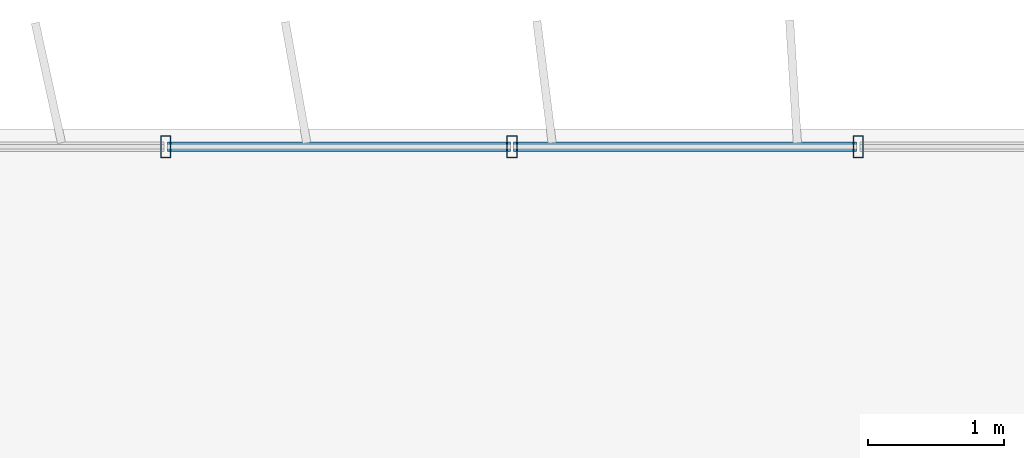
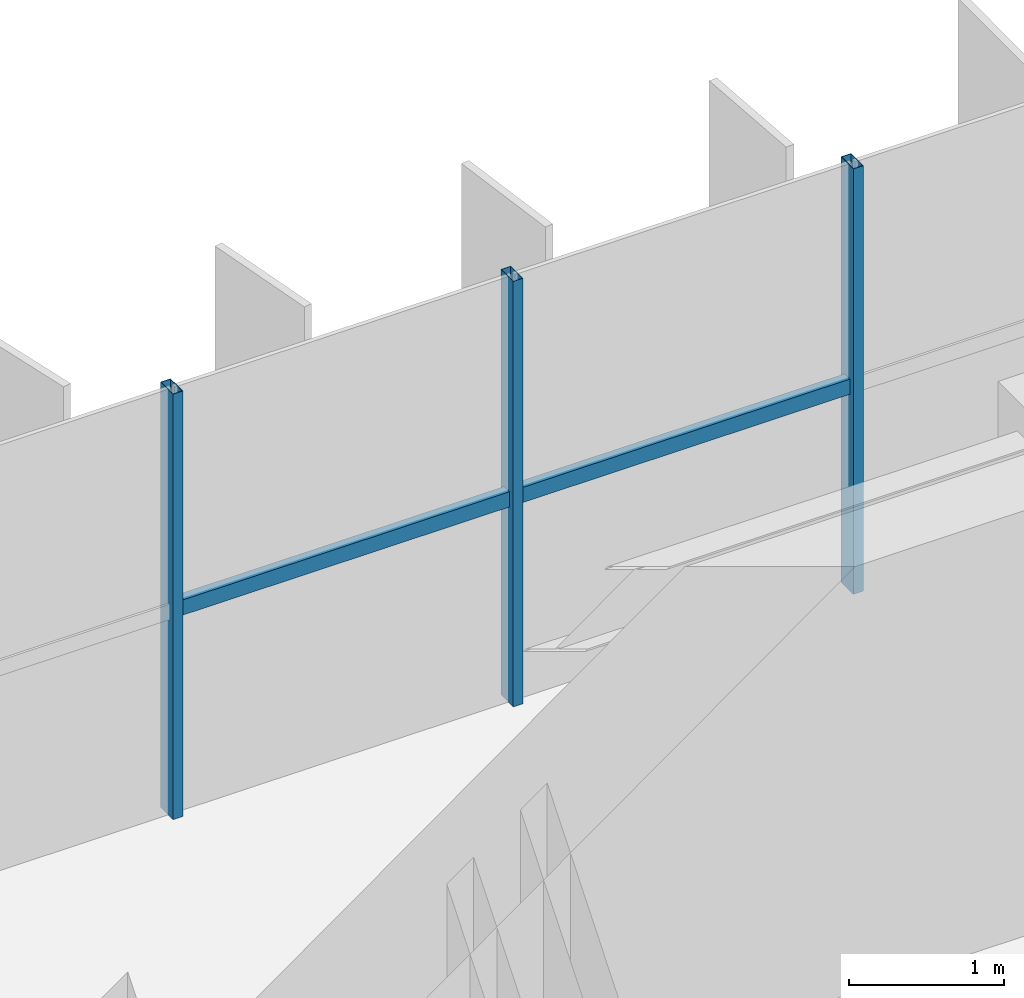
# One storey, part 18 of 34: 5 members, 1 element without a shape of its own.
"""IFC4 building model written with IfcOpenShell, lengths in metres."""

from ifc_helpers import new_model, si_unit, direction, frame, origin, origin_2d, place, context, subcontext, project, spatial, hollow_rectangle, extrude, source, transform, mapped, material, material_profile, profile_set, type_object, element, aggregate, save


model = new_model("IFC4")

# Units and contexts
model_context = context("Model", 3, precision=1e-05, world=origin(), true_north=direction((0.0, 1.0)))
body_context = subcontext(model_context, "Body", "Model", "MODEL_VIEW")
ifc_project = project(units=[si_unit("LENGTHUNIT", "METRE"), si_unit("AREAUNIT", "SQUARE_METRE"), si_unit("VOLUMEUNIT", "CUBIC_METRE"), si_unit("PLANEANGLEUNIT", "RADIAN"), si_unit("MASSUNIT", "GRAM", prefix="KILO")], contexts=[model_context])

# Site, building, storey
site_placement = place(None, origin())
site = spatial("IfcSite", under=ifc_project, at=site_placement, CompositionType="ELEMENT")
building_placement = place(site_placement, origin())
building = spatial("IfcBuilding", under=site, at=building_placement, Name="Trelvane Seafront Commons", CompositionType="ELEMENT")
storey_placement = place(building_placement, frame((0.0, 0.0, 197.699951171875)))
storey = spatial("IfcBuildingStorey", under=building, at=storey_placement, Name="L51", CompositionType="ELEMENT", Elevation=197.699951171875)

# Curtain wall, members
ifc_material = material(Name="Anodised pale-silver aluminium", Category="aluminium")
curtain_wall_type = type_object("IfcCurtainWallType", Name="ARCH-CW5-UPTOWER", PredefinedType="NOTDEFINED", material=ifc_material)
curtain_wall_placement = place(storey_placement, origin())
curtain_wall = element("IfcCurtainWall", 1, at=curtain_wall_placement, inside=storey, type_object=curtain_wall_type, Name="CW-L51-0084", PredefinedType="NOTDEFINED")
ifc_material_profile_1 = material_profile(ifc_material, hollow_rectangle(XDim=0.070068359375, YDim=0.1201171875, WallThickness=0.00390625, at=origin_2d()), Name="TRAN-70x120x4")
ifc_profile_set_1 = profile_set([ifc_material_profile_1], Name="Anodised pale-silver aluminium")
member_type_1 = type_object("IfcMemberType", Name="ARCH-CW-TRAN-120", PredefinedType="USERDEFINED", material=ifc_profile_set_1)
shared_shape_1 = source(origin(), body_context, "Body", "SweptSolid", [
    extrude(hollow_rectangle(XDim=0.070068359375, YDim=0.1201171875, WallThickness=0.00390625, at=origin_2d()), origin(), (0.0, 0.0, 1.0), 2.517333984375),
])
member_1_placement = place(storey_placement, frame((25.776611328125, 48.3701171875, 1.613037109375), z_axis=(1.0, 0.0, 0.0), x_axis=(0.0, 1.0, 0.0)))
member_1 = element("IfcMember", 2, at=member_1_placement, type_object=member_type_1, Name="CW-L51-0084-T04", ObjectType="TRANSOM", PredefinedType="USERDEFINED", context=body_context, shape_type="MappedRepresentation", body=[
    mapped(shared_shape_1, transform((0.0, 0.0, 0.0), x_axis=(1.0, 0.0, 0.0), y_axis=(0.0, 1.0, 0.0), z_axis=(0.0, 0.0, 1.0), scale=1.0)),
])
member_2_placement = place(storey_placement, frame((28.31787109375, 48.3701171875, 1.613037109375), z_axis=(1.0, 0.0, 0.0), x_axis=(0.0, 1.0, 0.0)))
member_2 = element("IfcMember", 3, at=member_2_placement, type_object=member_type_1, Name="CW-L51-0084-T05", ObjectType="TRANSOM", PredefinedType="USERDEFINED", context=body_context, shape_type="MappedRepresentation", body=[
    mapped(shared_shape_1, transform((0.0, 0.0, 0.0), x_axis=(1.0, 0.0, 0.0), y_axis=(0.0, 1.0, 0.0), z_axis=(0.0, 0.0, 1.0), scale=1.0)),
])
ifc_material_profile_2 = material_profile(ifc_material, hollow_rectangle(XDim=0.074951171875, YDim=0.159912109375, WallThickness=0.00390625, at=origin_2d()), Name="MULL-75x160x4")
ifc_profile_set_2 = profile_set([ifc_material_profile_2], Name="Anodised pale-silver aluminium")
member_type_2 = type_object("IfcMemberType", Name="ARCH-CW-MULL-160", PredefinedType="MULLION", material=ifc_profile_set_2)
shared_shape_2 = source(origin(), body_context, "Body", "SweptSolid", [
    extrude(hollow_rectangle(XDim=0.074951171875, YDim=0.159912109375, WallThickness=0.00390625, at=origin_2d()), origin(), (0.0, 0.0, 1.0), 3.360107421875),
])
member_3_placement = place(storey_placement, frame((25.7646484375, 48.3701171875, 0.0), z_axis=(0.0, 0.0, 1.0), x_axis=(1.0, 0.0, 0.0)))
member_3 = element("IfcMember", 4, at=member_3_placement, type_object=member_type_2, Name="CW-L51-0084-M04", PredefinedType="MULLION", context=body_context, shape_type="MappedRepresentation", body=[
    mapped(shared_shape_2, transform((0.0, 0.0, 0.0), x_axis=(1.0, 0.0, 0.0), y_axis=(0.0, 1.0, 0.0), z_axis=(0.0, 0.0, 1.0), scale=1.0)),
])
member_4_placement = place(storey_placement, frame((28.305908203125, 48.3701171875, 0.0), z_axis=(0.0, 0.0, 1.0), x_axis=(1.0, 0.0, 0.0)))
member_4 = element("IfcMember", 5, at=member_4_placement, type_object=member_type_2, Name="CW-L51-0084-M05", PredefinedType="MULLION", context=body_context, shape_type="MappedRepresentation", body=[
    mapped(shared_shape_2, transform((0.0, 0.0, 0.0), x_axis=(1.0, 0.0, 0.0), y_axis=(0.0, 1.0, 0.0), z_axis=(0.0, 0.0, 1.0), scale=1.0)),
])
member_5_placement = place(storey_placement, frame((30.84716796875, 48.3701171875, 0.0), z_axis=(0.0, 0.0, 1.0), x_axis=(1.0, 0.0, 0.0)))
member_5 = element("IfcMember", 6, at=member_5_placement, type_object=member_type_2, Name="CW-L51-0084-M06", PredefinedType="MULLION", context=body_context, shape_type="MappedRepresentation", body=[
    mapped(shared_shape_2, transform((0.0, 0.0, 0.0), x_axis=(1.0, 0.0, 0.0), y_axis=(0.0, 1.0, 0.0), z_axis=(0.0, 0.0, 1.0), scale=1.0)),
])
aggregate(curtain_wall, [member_3, member_4, member_5, member_1, member_2])

save(model, "model.ifc")
